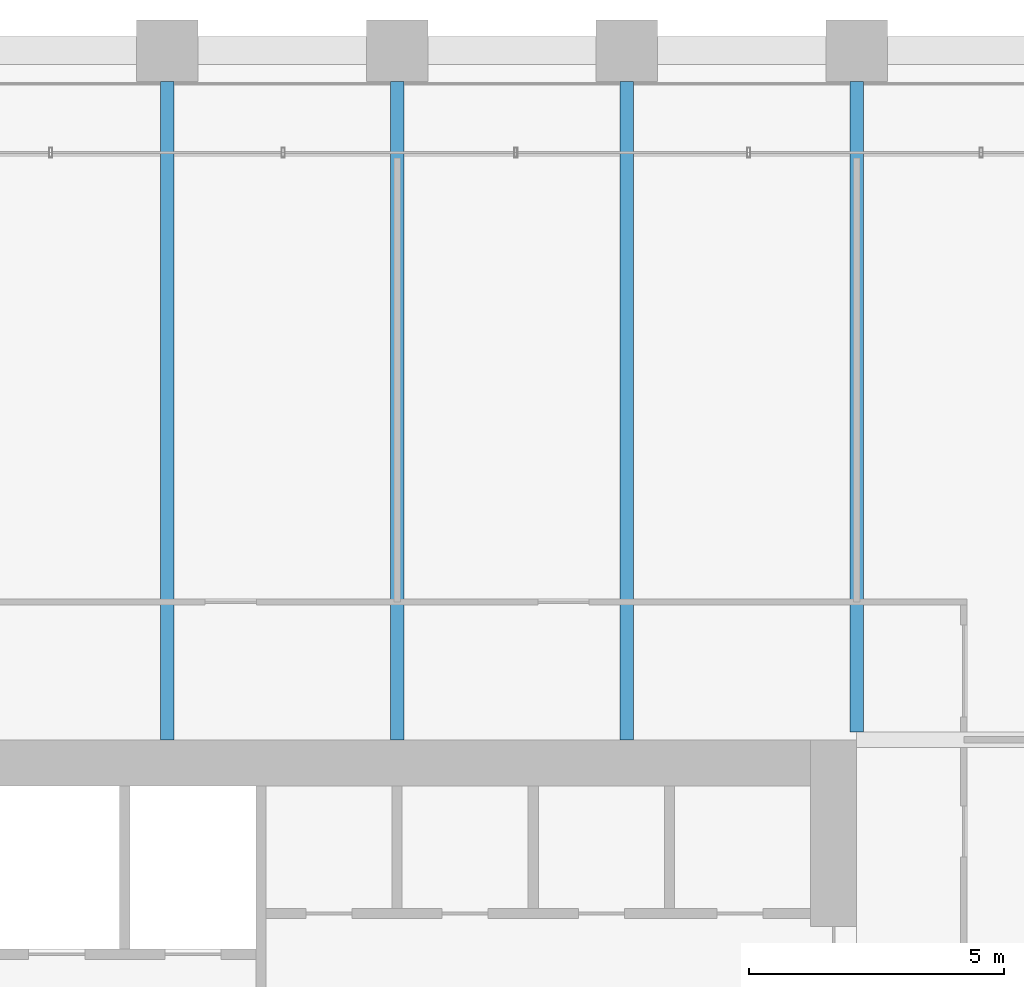
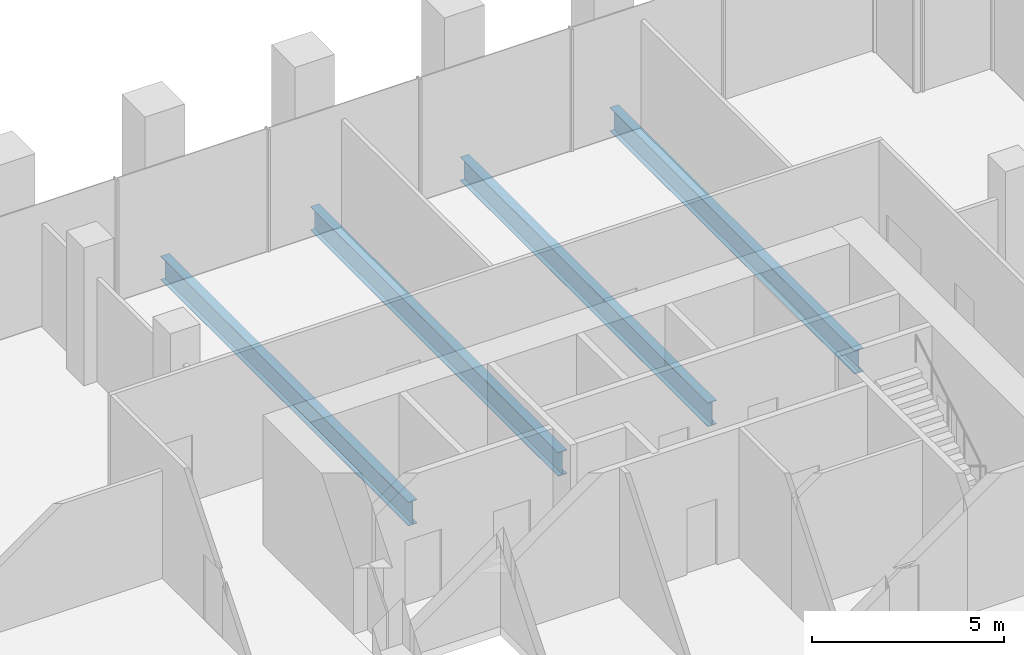
# One storey, part 15 of 36: 4 beams.
"""IFC4 building model written with IfcOpenShell, lengths in metres."""

from ifc_helpers import new_model, si_unit, direction, frame, origin, origin_2d, place, context, subcontext, project, spatial, i_section, extrude, material, material_profile, profile_set, type_object, element, save


model = new_model("IFC4")

# Units and contexts
model_context = context("Model", 3, precision=1e-05, world=origin(), true_north=direction((0.0, 1.0)))
body_context = subcontext(model_context, "Body", "Model", "MODEL_VIEW")
ifc_project = project(units=[si_unit("LENGTHUNIT", "METRE"), si_unit("AREAUNIT", "SQUARE_METRE"), si_unit("VOLUMEUNIT", "CUBIC_METRE"), si_unit("PLANEANGLEUNIT", "RADIAN"), si_unit("MASSUNIT", "GRAM", prefix="KILO")], contexts=[model_context])

# Site, building, storey
site_placement = place(None, origin())
site = spatial("IfcSite", under=ifc_project, at=site_placement, CompositionType="ELEMENT")
building_placement = place(site_placement, origin())
building = spatial("IfcBuilding", under=site, at=building_placement, Name="Altepetl Exchange Towers", CompositionType="ELEMENT")
storey_placement = place(building_placement, frame((0.0, 0.0, 25.39990234375)))
storey = spatial("IfcBuildingStorey", under=building, at=storey_placement, Name="L05", CompositionType="ELEMENT", Elevation=25.39990234375)

# Beams
ifc_material = material(Name="Steel S355", Category="steel")
ifc_material_profile = material_profile(ifc_material, i_section(OverallWidth=0.26611328125, OverallDepth=0.758056640625, WebThickness=0.013916015625, FlangeThickness=0.019287109375, at=origin_2d()), Name="W30X108")
ifc_profile_set = profile_set([ifc_material_profile], Name="Steel S355")
beam_type = type_object("IfcBeamType", Name="Floor beam W30X108", PredefinedType="BEAM", material=ifc_profile_set)
for number, where, z_axis, x_axis, name in (
    (1, (45.0, 58.5, -0.553955078125), (0.0, 1.0, 0.0), (-1.0, 0.0, 0.0), "bm:A:L05:000"),
    (2, (49.5, 58.5, -0.553955078125), (0.0, 1.0, 0.0), (-1.0, 0.0, 0.0), "bm:A:L05:001"),
    (3, (54.0, 58.5, -0.553955078125), (0.0, 1.0, 0.0), (-1.0, 0.0, 0.0), "bm:A:L05:002"),
):
    element("IfcBeam", number, at=place(storey_placement, frame(where, z_axis=z_axis, x_axis=x_axis)), inside=storey, type_object=beam_type, Name=name, PredefinedType="BEAM", context=body_context, shape_type="SweptSolid", body=[
        extrude(i_section(OverallWidth=0.26611328125, OverallDepth=0.758056640625, WebThickness=0.013916015625, FlangeThickness=0.019287109375, at=origin_2d()), origin(), (0.0, 0.0, 1.0), 12.89990234375),
    ])
beam_placement = place(storey_placement, frame((58.5, 58.654052734375, -0.553955078125), z_axis=(0.0, 1.0, 0.0), x_axis=(-1.0, 0.0, 0.0)))
element("IfcBeam", 4, at=beam_placement, inside=storey, type_object=beam_type, Name="bm:A:L05:003", PredefinedType="BEAM", context=body_context, shape_type="SweptSolid", body=[
    extrude(i_section(OverallWidth=0.26611328125, OverallDepth=0.758056640625, WebThickness=0.013916015625, FlangeThickness=0.019287109375, at=origin_2d()), origin(), (0.0, 0.0, 1.0), 12.745849609375),
])

save(model, "model.ifc")
